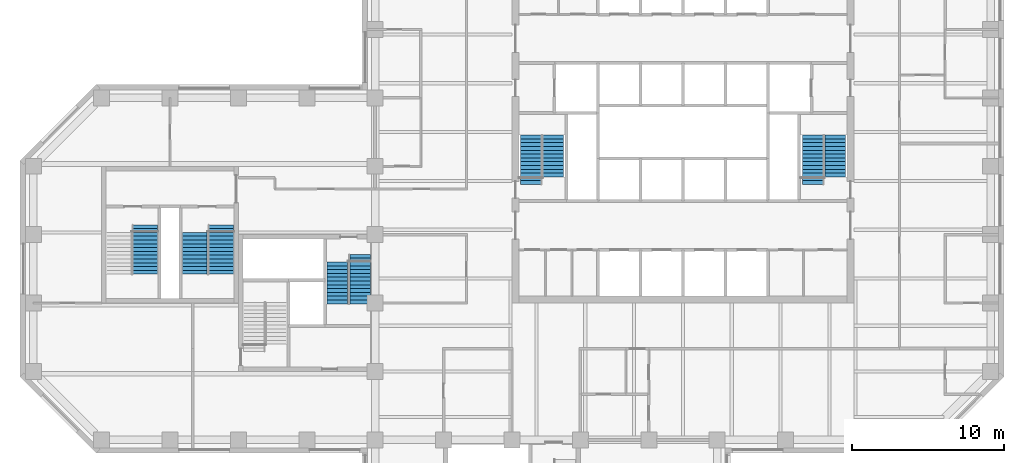
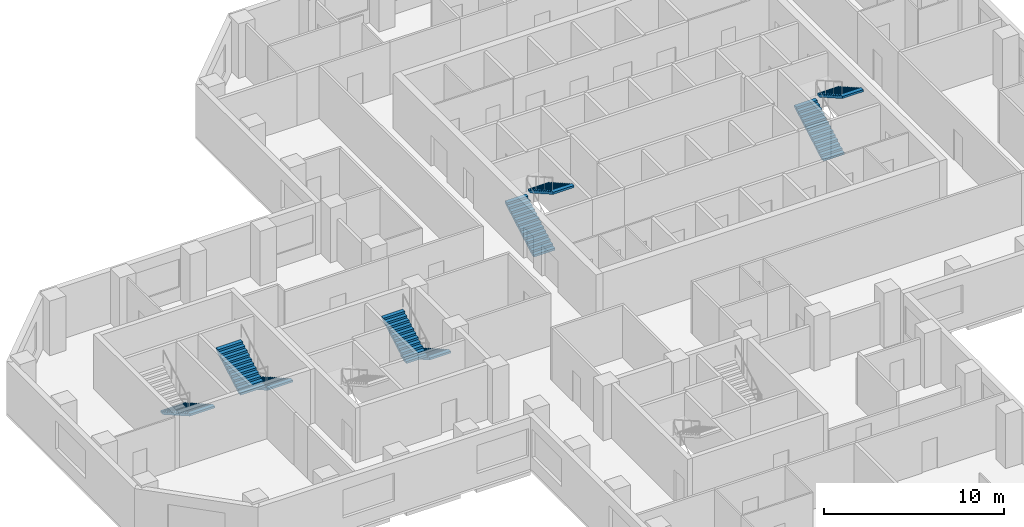
# One storey, part 10 of 11: 9 stair flights, 5 elements without a shape of their own.
"""IFC4 building model written with IfcOpenShell, lengths in metres."""

from ifc_helpers import new_model, si_unit, direction, frame, origin, place, context, subcontext, project, spatial, polyline, outline, extrude, material, type_object, element, aggregate, save


model = new_model("IFC4")

# Units and contexts
model_context = context("Model", 3, precision=1e-05, world=origin(), true_north=direction((0.0, 1.0)))
body_context = subcontext(model_context, "Body", "Model", "MODEL_VIEW")
ifc_project = project(units=[si_unit("LENGTHUNIT", "METRE"), si_unit("AREAUNIT", "SQUARE_METRE"), si_unit("VOLUMEUNIT", "CUBIC_METRE"), si_unit("PLANEANGLEUNIT", "RADIAN"), si_unit("MASSUNIT", "GRAM", prefix="KILO")], contexts=[model_context])

# Site, building, storey
site_placement = place(None, origin())
site = spatial("IfcSite", under=ifc_project, at=site_placement, CompositionType="ELEMENT")
building_placement = place(site_placement, origin())
building = spatial("IfcBuilding", under=site, at=building_placement, Name="Quoin Convention Tower", CompositionType="ELEMENT")
storey_placement = place(building_placement, frame((0.0, 0.0, 119.60009765625)))
storey = spatial("IfcBuildingStorey", under=building, at=storey_placement, Name="L31", CompositionType="ELEMENT", Elevation=119.60009765625)

# Stair, stair flights
ifc_material = material(Name="Concrete C40", Category="concrete")
stair_type_1 = type_object("IfcStairType", Name="Exit stair two-flight 1350", PredefinedType="HALF_TURN_STAIR", material=ifc_material)
stair_1_placement = place(storey_placement, origin())
stair_1 = element("IfcStair", 1, at=stair_1_placement, inside=storey, type_object=stair_type_1, Name="SD1 L31", PredefinedType="HALF_TURN_STAIR")
stair_flight_type_1 = type_object("IfcStairFlightType", Name="Stair flight 1350", PredefinedType="STRAIGHT", material=ifc_material)
stair_flight_1_placement = place(storey_placement, frame((46.22509765625, 57.300048828125, 0.0), z_axis=(0.0, 0.0, 1.0), x_axis=(0.0, 1.0, 0.0)))
stair_flight_1 = element("IfcStairFlight", 2, at=stair_flight_1_placement, type_object=stair_flight_type_1, Name="ST1 flight 1", NumberOfRisers=14, NumberOfTreads=13, PredefinedType="STRAIGHT", RiserHeight=0.142307692, TreadLength=0.25, context=body_context, shape_type="SweptSolid", body=[
    extrude(outline(polyline([(0.0, 0.0), (0.0, 0.142333984375), (0.25, 0.142333984375), (0.25, 0.28466796875), (0.5, 0.28466796875), (0.5, 0.427001953125), (0.75, 0.427001953125), (0.75, 0.5693359375), (1.0, 0.5693359375), (1.0, 0.71142578125), (1.25, 0.71142578125), (1.25, 0.853759765625), (1.5, 0.853759765625), (1.5, 0.99609375), (1.75, 0.99609375), (1.75, 1.138427734375), (2.0, 1.138427734375), (2.0, 1.28076171875), (2.25, 1.28076171875), (2.25, 1.423095703125), (2.5, 1.423095703125), (2.5, 1.5654296875), (2.75, 1.5654296875), (2.75, 1.707763671875), (3.0, 1.707763671875), (3.0, 1.85009765625), (3.25, 1.85009765625), (3.25, 1.9921875), (3.25, 1.711669921875), (0.242919921875, 0.0), (0.0, 0.0)])), frame((0.0, 0.675048828125, 0.0), z_axis=(0.0, -1.0, 0.0), x_axis=(1.0, 0.0, 0.0)), (0.0, 0.0, 1.0), 1.35009765625),
])
stair_flight_2_placement = place(storey_placement, frame((47.72509765625, 60.550048828125, 1.9921875), z_axis=(0.0, 0.0, 1.0), x_axis=(0.0, -1.0, 0.0)))
stair_flight_2 = element("IfcStairFlight", 3, at=stair_flight_2_placement, type_object=stair_flight_type_1, Name="ST1 flight 2", NumberOfRisers=12, NumberOfTreads=11, PredefinedType="STRAIGHT", RiserHeight=0.142307692, TreadLength=0.25, context=body_context, shape_type="SweptSolid", body=[
    extrude(outline(polyline([(0.0, 0.0), (0.0, 0.142333984375), (0.25, 0.142333984375), (0.25, 0.28466796875), (0.5, 0.28466796875), (0.5, 0.427001953125), (0.75, 0.427001953125), (0.75, 0.5693359375), (1.0, 0.5693359375), (1.0, 0.71142578125), (1.25, 0.71142578125), (1.25, 0.853759765625), (1.5, 0.853759765625), (1.5, 0.99609375), (1.75, 0.99609375), (1.75, 1.138427734375), (2.0, 1.138427734375), (2.0, 1.28076171875), (2.25, 1.28076171875), (2.25, 1.423095703125), (2.5, 1.423095703125), (2.5, 1.5654296875), (2.75, 1.5654296875), (2.75, 1.707763671875), (2.75, 1.42724609375), (0.242919921875, 0.0), (0.0, 0.0)])), frame((0.0, 0.675048828125, 0.0), z_axis=(0.0, -1.0, 0.0), x_axis=(1.0, 0.0, 0.0)), (0.0, 0.0, 1.0), 1.35009765625),
])
aggregate(stair_1, [stair_flight_1, stair_flight_2])

stair_2_placement = place(storey_placement, origin())
stair_2 = element("IfcStair", 4, at=stair_2_placement, inside=storey, type_object=stair_type_1, Name="SD2 L31", PredefinedType="HALF_TURN_STAIR")
stair_flight_3_placement = place(storey_placement, frame((64.77490234375, 57.300048828125, 0.0), z_axis=(0.0, 0.0, 1.0), x_axis=(0.0, 1.0, 0.0)))
stair_flight_3 = element("IfcStairFlight", 5, at=stair_flight_3_placement, type_object=stair_flight_type_1, Name="ST2 flight 1", NumberOfRisers=14, NumberOfTreads=13, PredefinedType="STRAIGHT", RiserHeight=0.142307692, TreadLength=0.25, context=body_context, shape_type="SweptSolid", body=[
    extrude(outline(polyline([(0.0, 0.0), (0.0, 0.142333984375), (0.25, 0.142333984375), (0.25, 0.28466796875), (0.5, 0.28466796875), (0.5, 0.427001953125), (0.75, 0.427001953125), (0.75, 0.5693359375), (1.0, 0.5693359375), (1.0, 0.71142578125), (1.25, 0.71142578125), (1.25, 0.853759765625), (1.5, 0.853759765625), (1.5, 0.99609375), (1.75, 0.99609375), (1.75, 1.138427734375), (2.0, 1.138427734375), (2.0, 1.28076171875), (2.25, 1.28076171875), (2.25, 1.423095703125), (2.5, 1.423095703125), (2.5, 1.5654296875), (2.75, 1.5654296875), (2.75, 1.707763671875), (3.0, 1.707763671875), (3.0, 1.85009765625), (3.25, 1.85009765625), (3.25, 1.9921875), (3.25, 1.711669921875), (0.242919921875, 0.0), (0.0, 0.0)])), frame((0.0, 0.675048828125, 0.0), z_axis=(0.0, -1.0, 0.0), x_axis=(1.0, 0.0, 0.0)), (0.0, 0.0, 1.0), 1.35009765625),
])
stair_flight_4_placement = place(storey_placement, frame((66.27490234375, 60.550048828125, 1.9921875), z_axis=(0.0, 0.0, 1.0), x_axis=(0.0, -1.0, 0.0)))
stair_flight_4 = element("IfcStairFlight", 6, at=stair_flight_4_placement, type_object=stair_flight_type_1, Name="ST2 flight 2", NumberOfRisers=12, NumberOfTreads=11, PredefinedType="STRAIGHT", RiserHeight=0.142307692, TreadLength=0.25, context=body_context, shape_type="SweptSolid", body=[
    extrude(outline(polyline([(0.0, 0.0), (0.0, 0.142333984375), (0.25, 0.142333984375), (0.25, 0.28466796875), (0.5, 0.28466796875), (0.5, 0.427001953125), (0.75, 0.427001953125), (0.75, 0.5693359375), (1.0, 0.5693359375), (1.0, 0.71142578125), (1.25, 0.71142578125), (1.25, 0.853759765625), (1.5, 0.853759765625), (1.5, 0.99609375), (1.75, 0.99609375), (1.75, 1.138427734375), (2.0, 1.138427734375), (2.0, 1.28076171875), (2.25, 1.28076171875), (2.25, 1.423095703125), (2.5, 1.423095703125), (2.5, 1.5654296875), (2.75, 1.5654296875), (2.75, 1.707763671875), (2.75, 1.42724609375), (0.242919921875, 0.0), (0.0, 0.0)])), frame((0.0, 0.675048828125, 0.0), z_axis=(0.0, -1.0, 0.0), x_axis=(1.0, 0.0, 0.0)), (0.0, 0.0, 1.0), 1.35009765625),
])
aggregate(stair_2, [stair_flight_3, stair_flight_4])

stair_3_placement = place(storey_placement, origin())
stair_3 = element("IfcStair", 7, at=stair_3_placement, inside=storey, type_object=stair_type_1, Name="SD4 L31", PredefinedType="HALF_TURN_STAIR")
stair_flight_5_placement = place(storey_placement, frame((35.0, 52.699951171875, 0.0), z_axis=(0.0, 0.0, 1.0), x_axis=(0.0, -1.0, 0.0)))
stair_flight_5 = element("IfcStairFlight", 8, at=stair_flight_5_placement, type_object=stair_flight_type_1, Name="ST4 flight 1", NumberOfRisers=14, NumberOfTreads=13, PredefinedType="STRAIGHT", RiserHeight=0.142307692, TreadLength=0.25, context=body_context, shape_type="SweptSolid", body=[
    extrude(outline(polyline([(0.0, 0.0), (0.0, 0.142333984375), (0.25, 0.142333984375), (0.25, 0.28466796875), (0.5, 0.28466796875), (0.5, 0.427001953125), (0.75, 0.427001953125), (0.75, 0.5693359375), (1.0, 0.5693359375), (1.0, 0.71142578125), (1.25, 0.71142578125), (1.25, 0.853759765625), (1.5, 0.853759765625), (1.5, 0.99609375), (1.75, 0.99609375), (1.75, 1.138427734375), (2.0, 1.138427734375), (2.0, 1.28076171875), (2.25, 1.28076171875), (2.25, 1.423095703125), (2.5, 1.423095703125), (2.5, 1.5654296875), (2.75, 1.5654296875), (2.75, 1.707763671875), (3.0, 1.707763671875), (3.0, 1.85009765625), (3.25, 1.85009765625), (3.25, 1.9921875), (3.25, 1.711669921875), (0.242919921875, 0.0), (0.0, 0.0)])), frame((0.0, 0.675048828125, 0.0), z_axis=(0.0, -1.0, 0.0), x_axis=(1.0, 0.0, 0.0)), (0.0, 0.0, 1.0), 1.35009765625),
])
stair_flight_6_placement = place(storey_placement, frame((33.5, 49.449951171875, 1.9921875), z_axis=(0.0, 0.0, 1.0), x_axis=(0.0, 1.0, 0.0)))
stair_flight_6 = element("IfcStairFlight", 9, at=stair_flight_6_placement, type_object=stair_flight_type_1, Name="ST4 flight 2", NumberOfRisers=12, NumberOfTreads=11, PredefinedType="STRAIGHT", RiserHeight=0.142307692, TreadLength=0.25, context=body_context, shape_type="SweptSolid", body=[
    extrude(outline(polyline([(0.0, 0.0), (0.0, 0.142333984375), (0.25, 0.142333984375), (0.25, 0.28466796875), (0.5, 0.28466796875), (0.5, 0.427001953125), (0.75, 0.427001953125), (0.75, 0.5693359375), (1.0, 0.5693359375), (1.0, 0.71142578125), (1.25, 0.71142578125), (1.25, 0.853759765625), (1.5, 0.853759765625), (1.5, 0.99609375), (1.75, 0.99609375), (1.75, 1.138427734375), (2.0, 1.138427734375), (2.0, 1.28076171875), (2.25, 1.28076171875), (2.25, 1.423095703125), (2.5, 1.423095703125), (2.5, 1.5654296875), (2.75, 1.5654296875), (2.75, 1.707763671875), (2.75, 1.42724609375), (0.242919921875, 0.0), (0.0, 0.0)])), frame((0.0, 0.675048828125, 0.0), z_axis=(0.0, -1.0, 0.0), x_axis=(1.0, 0.0, 0.0)), (0.0, 0.0, 1.0), 1.35009765625),
])
aggregate(stair_3, [stair_flight_5, stair_flight_6])

# Stair, stair flight
stair_type_2 = type_object("IfcStairType", Name="Exit stair two-flight 1600", PredefinedType="HALF_TURN_STAIR", material=ifc_material)
stair_4_placement = place(storey_placement, origin())
stair_4 = element("IfcStair", 10, at=stair_4_placement, inside=storey, type_object=stair_type_2, Name="SD11 L31", PredefinedType="HALF_TURN_STAIR")
stair_flight_type_2 = type_object("IfcStairFlightType", Name="Stair flight 1600", PredefinedType="STRAIGHT", material=ifc_material)
stair_flight_7_placement = place(storey_placement, frame((20.875, 54.64990234375, 0.0), z_axis=(0.0, 0.0, 1.0), x_axis=(0.0, -1.0, 0.0)))
stair_flight_7 = element("IfcStairFlight", 11, at=stair_flight_7_placement, type_object=stair_flight_type_2, Name="ST11 flight 1", NumberOfRisers=14, NumberOfTreads=13, PredefinedType="STRAIGHT", RiserHeight=0.142307692, TreadLength=0.25, context=body_context, shape_type="SweptSolid", body=[
    extrude(outline(polyline([(0.0, 0.0), (0.0, 0.142333984375), (0.25, 0.142333984375), (0.25, 0.28466796875), (0.5, 0.28466796875), (0.5, 0.427001953125), (0.75, 0.427001953125), (0.75, 0.5693359375), (1.0, 0.5693359375), (1.0, 0.71142578125), (1.25, 0.71142578125), (1.25, 0.853759765625), (1.5, 0.853759765625), (1.5, 0.99609375), (1.75, 0.99609375), (1.75, 1.138427734375), (2.0, 1.138427734375), (2.0, 1.28076171875), (2.25, 1.28076171875), (2.25, 1.423095703125), (2.5, 1.423095703125), (2.5, 1.5654296875), (2.75, 1.5654296875), (2.75, 1.707763671875), (3.0, 1.707763671875), (3.0, 1.85009765625), (3.25, 1.85009765625), (3.25, 1.9921875), (3.25, 1.711669921875), (0.242919921875, 0.0), (0.0, 0.0)])), frame((0.0, 0.800048828125, 0.0), z_axis=(0.0, -1.0, 0.0), x_axis=(1.0, 0.0, 0.0)), (0.0, 0.0, 1.0), 1.60009765625),
])
aggregate(stair_4, [stair_flight_7])

# Stair, stair flights
stair_5_placement = place(storey_placement, origin())
stair_5 = element("IfcStair", 12, at=stair_5_placement, inside=storey, type_object=stair_type_2, Name="SD12 L31", PredefinedType="HALF_TURN_STAIR")
stair_flight_8_placement = place(storey_placement, frame((25.875, 54.64990234375, 0.0), z_axis=(0.0, 0.0, 1.0), x_axis=(0.0, -1.0, 0.0)))
stair_flight_8 = element("IfcStairFlight", 13, at=stair_flight_8_placement, type_object=stair_flight_type_2, Name="ST12 flight 1", NumberOfRisers=14, NumberOfTreads=13, PredefinedType="STRAIGHT", RiserHeight=0.142307692, TreadLength=0.25, context=body_context, shape_type="SweptSolid", body=[
    extrude(outline(polyline([(0.0, 0.0), (0.0, 0.142333984375), (0.25, 0.142333984375), (0.25, 0.28466796875), (0.5, 0.28466796875), (0.5, 0.427001953125), (0.75, 0.427001953125), (0.75, 0.5693359375), (1.0, 0.5693359375), (1.0, 0.71142578125), (1.25, 0.71142578125), (1.25, 0.853759765625), (1.5, 0.853759765625), (1.5, 0.99609375), (1.75, 0.99609375), (1.75, 1.138427734375), (2.0, 1.138427734375), (2.0, 1.28076171875), (2.25, 1.28076171875), (2.25, 1.423095703125), (2.5, 1.423095703125), (2.5, 1.5654296875), (2.75, 1.5654296875), (2.75, 1.707763671875), (3.0, 1.707763671875), (3.0, 1.85009765625), (3.25, 1.85009765625), (3.25, 1.9921875), (3.25, 1.711669921875), (0.242919921875, 0.0), (0.0, 0.0)])), frame((0.0, 0.800048828125, 0.0), z_axis=(0.0, -1.0, 0.0), x_axis=(1.0, 0.0, 0.0)), (0.0, 0.0, 1.0), 1.60009765625),
])
stair_flight_9_placement = place(storey_placement, frame((24.125, 51.39990234375, 1.9921875), z_axis=(0.0, 0.0, 1.0), x_axis=(0.0, 1.0, 0.0)))
stair_flight_9 = element("IfcStairFlight", 14, at=stair_flight_9_placement, type_object=stair_flight_type_2, Name="ST12 flight 2", NumberOfRisers=12, NumberOfTreads=11, PredefinedType="STRAIGHT", RiserHeight=0.142307692, TreadLength=0.25, context=body_context, shape_type="SweptSolid", body=[
    extrude(outline(polyline([(0.0, 0.0), (0.0, 0.142333984375), (0.25, 0.142333984375), (0.25, 0.28466796875), (0.5, 0.28466796875), (0.5, 0.427001953125), (0.75, 0.427001953125), (0.75, 0.5693359375), (1.0, 0.5693359375), (1.0, 0.71142578125), (1.25, 0.71142578125), (1.25, 0.853759765625), (1.5, 0.853759765625), (1.5, 0.99609375), (1.75, 0.99609375), (1.75, 1.138427734375), (2.0, 1.138427734375), (2.0, 1.28076171875), (2.25, 1.28076171875), (2.25, 1.423095703125), (2.5, 1.423095703125), (2.5, 1.5654296875), (2.75, 1.5654296875), (2.75, 1.707763671875), (2.75, 1.42724609375), (0.242919921875, 0.0), (0.0, 0.0)])), frame((0.0, 0.800048828125, 0.0), z_axis=(0.0, -1.0, 0.0), x_axis=(1.0, 0.0, 0.0)), (0.0, 0.0, 1.0), 1.60009765625),
])
aggregate(stair_5, [stair_flight_8, stair_flight_9])

save(model, "model.ifc")
